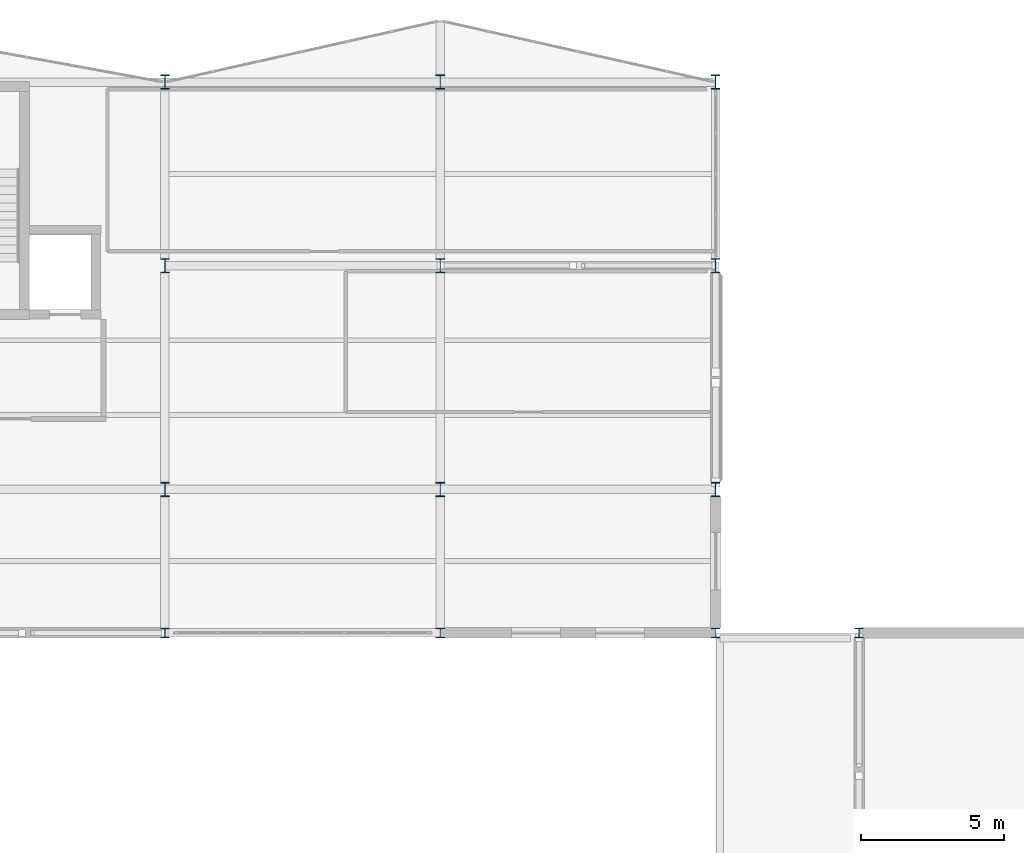
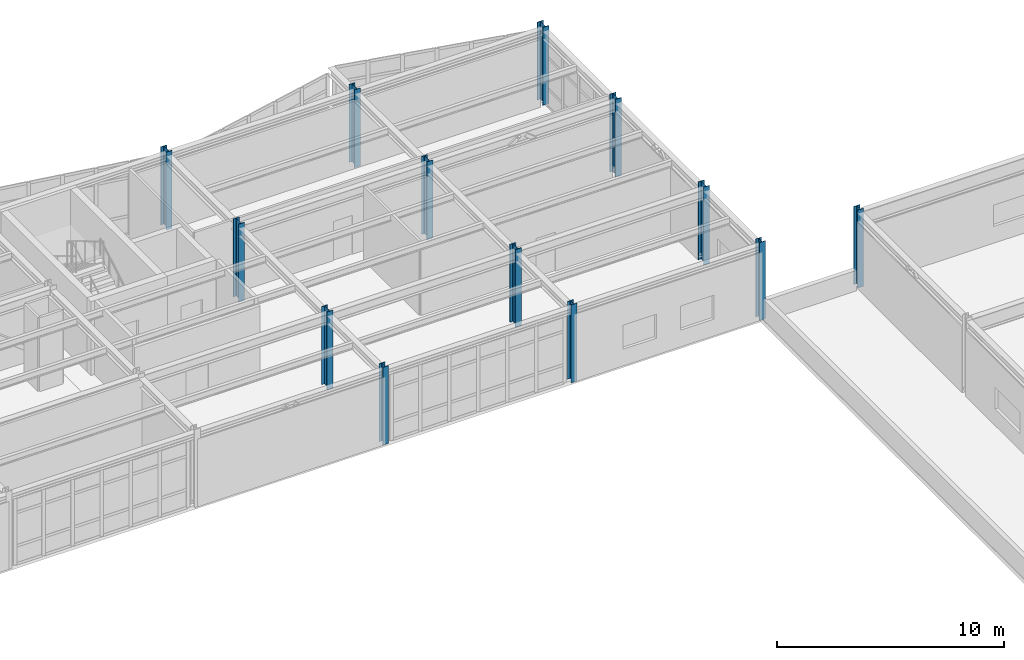
# One storey, part 10 of 76: 13 columns.
"""IFC4 building model written with IfcOpenShell, lengths in metres."""

from ifc_helpers import new_model, si_unit, direction, frame, origin, origin_2d, place, context, subcontext, project, spatial, i_section, extrude, material, material_profile, profile_set, type_object, element, save


model = new_model("IFC4")

# Units and contexts
model_context = context("Model", 3, precision=1e-05, world=origin(), true_north=direction((0.0, 1.0)))
body_context = subcontext(model_context, "Body", "Model", "MODEL_VIEW")
ifc_project = project(units=[si_unit("LENGTHUNIT", "METRE"), si_unit("AREAUNIT", "SQUARE_METRE"), si_unit("VOLUMEUNIT", "CUBIC_METRE"), si_unit("PLANEANGLEUNIT", "RADIAN"), si_unit("MASSUNIT", "GRAM", prefix="KILO")], contexts=[model_context])

# Site, building, storey
site_placement = place(None, origin())
site = spatial("IfcSite", under=ifc_project, at=site_placement, CompositionType="ELEMENT")
building_placement = place(site_placement, origin())
building = spatial("IfcBuilding", under=site, at=building_placement, Name="Nordkorset Police Headquarters", CompositionType="ELEMENT")
storey_placement = place(building_placement, frame((0.0, 0.0, 13.64990234375)))
storey = spatial("IfcBuildingStorey", under=building, at=storey_placement, Name="L03", CompositionType="ELEMENT", Elevation=13.64990234375)

# Columns
ifc_material_1 = material(Name="Steel S355J2", Category="steel")
ifc_material_profile_1 = material_profile(ifc_material_1, i_section(OverallWidth=0.300048828125, OverallDepth=0.340087890625, WebThickness=0.011962890625, FlangeThickness=0.021484375, FilletRadius=0.027099609375, at=origin_2d()), Name="HEB 340")
ifc_profile_set_1 = profile_set([ifc_material_profile_1], Name="Steel S355J2")
column_type_1 = type_object("IfcColumnType", Name="Col_HEB_340", PredefinedType="COLUMN", material=ifc_profile_set_1)
for number, where, z_axis, x_axis, name in (
    (1, (67.199951171875, 97.60009765625, 0.0), (0.0, 0.0, 1.0), (1.0, 0.0, 0.0), "Structural Column V2_Y0_3 L03"),
    (2, (76.800048828125, 97.60009765625, 0.0), (0.0, 0.0, 1.0), (1.0, 0.0, 0.0), "Structural Column V2_Y0_4 L03"),
    (3, (86.39990234375, 97.60009765625, 0.0), (0.0, 0.0, 1.0), (1.0, 0.0, 0.0), "Structural Column V2_Y0_5 L03"),
    (4, (91.39990234375, 97.60009765625, 0.0), (0.0, 0.0, 1.0), (1.0, 0.0, 0.0), "Structural Column V5_X1_5 L03"),
):
    element("IfcColumn", number, at=place(storey_placement, frame(where, z_axis=z_axis, x_axis=x_axis)), inside=storey, type_object=column_type_1, Name=name, PredefinedType="COLUMN", context=body_context, shape_type="SweptSolid", body=[
        extrude(i_section(OverallWidth=0.300048828125, OverallDepth=0.340087890625, WebThickness=0.011962890625, FlangeThickness=0.021484375, FilletRadius=0.027099609375, at=origin_2d()), origin(), (0.0, 0.0, 1.0), 4.2001953125),
    ])
ifc_material_2 = material(Name="Steel S355J2", Category="steel")
ifc_material_profile_2 = material_profile(ifc_material_2, i_section(OverallWidth=0.300048828125, OverallDepth=0.5, WebThickness=0.014404296875, FlangeThickness=0.028076171875, FilletRadius=0.027099609375, at=origin_2d()), Name="HEB 500")
ifc_profile_set_2 = profile_set([ifc_material_profile_2], Name="Steel S355J2")
column_type_2 = type_object("IfcColumnType", Name="Col_HEB_500", PredefinedType="COLUMN", material=ifc_profile_set_2)
for number, where, z_axis, x_axis, name in (
    (5, (67.199951171875, 102.60009765625, 0.0), (0.0, 0.0, 1.0), (1.0, 0.0, 0.0), "Structural Column V2_Y1_3 L03"),
    (6, (67.199951171875, 110.39990234375, 0.0), (0.0, 0.0, 1.0), (1.0, 0.0, 0.0), "Structural Column V2_Y2_3 L03"),
    (7, (67.199951171875, 116.800048828125, 0.0), (0.0, 0.0, 1.0), (1.0, 0.0, 0.0), "Structural Column V2_Y3_3 L03"),
    (8, (76.800048828125, 102.60009765625, 0.0), (0.0, 0.0, 1.0), (1.0, 0.0, 0.0), "Structural Column V2_Y1_4 L03"),
    (9, (76.800048828125, 110.39990234375, 0.0), (0.0, 0.0, 1.0), (1.0, 0.0, 0.0), "Structural Column V2_Y2_4 L03"),
    (10, (76.800048828125, 116.800048828125, 0.0), (0.0, 0.0, 1.0), (1.0, 0.0, 0.0), "Structural Column V2_Y3_4 L03"),
    (11, (86.39990234375, 102.60009765625, 0.0), (0.0, 0.0, 1.0), (1.0, 0.0, 0.0), "Structural Column V2_Y1_5 L03"),
    (12, (86.39990234375, 110.39990234375, 0.0), (0.0, 0.0, 1.0), (1.0, 0.0, 0.0), "Structural Column V2_Y2_5 L03"),
    (13, (86.39990234375, 116.800048828125, 0.0), (0.0, 0.0, 1.0), (1.0, 0.0, 0.0), "Structural Column V2_Y3_5 L03"),
):
    element("IfcColumn", number, at=place(storey_placement, frame(where, z_axis=z_axis, x_axis=x_axis)), inside=storey, type_object=column_type_2, Name=name, PredefinedType="COLUMN", context=body_context, shape_type="SweptSolid", body=[
        extrude(i_section(OverallWidth=0.300048828125, OverallDepth=0.5, WebThickness=0.014404296875, FlangeThickness=0.028076171875, FilletRadius=0.027099609375, at=origin_2d()), origin(), (0.0, 0.0, 1.0), 4.2001953125),
    ])

save(model, "model.ifc")
